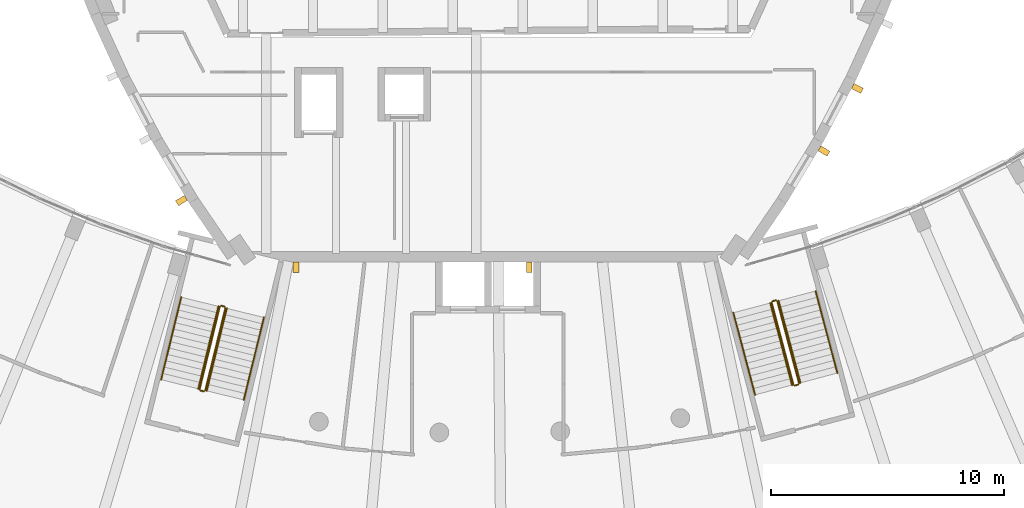
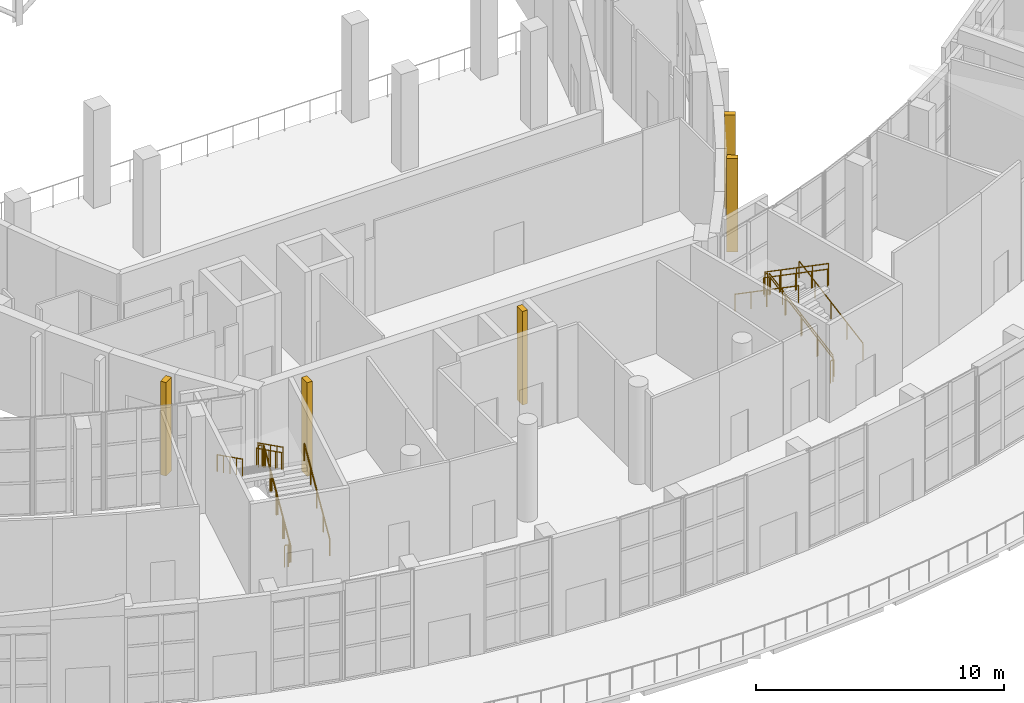
# One storey, part 85 of 93: 16 railings, 5 shading devices.
"""IFC4 building model written with IfcOpenShell, lengths in metres."""

from ifc_helpers import new_model, si_unit, direction, frame, origin, origin_2d, place, context, subcontext, project, spatial, rectangle, circle, extrude, material, layer, layer_set, type_object, element, save


model = new_model("IFC4")

# Units and contexts
model_context = context("Model", 3, precision=1e-05, world=origin(), true_north=direction((0.0, 1.0)))
body_context = subcontext(model_context, "Body", "Model", "MODEL_VIEW")
ifc_project = project(units=[si_unit("LENGTHUNIT", "METRE"), si_unit("AREAUNIT", "SQUARE_METRE"), si_unit("VOLUMEUNIT", "CUBIC_METRE"), si_unit("PLANEANGLEUNIT", "RADIAN"), si_unit("MASSUNIT", "GRAM", prefix="KILO")], contexts=[model_context])

# Site, building, storey
site_placement = place(None, origin())
site = spatial("IfcSite", under=ifc_project, at=site_placement, CompositionType="ELEMENT")
building_placement = place(site_placement, origin())
building = spatial("IfcBuilding", under=site, at=building_placement, Name="Tide Square Theatres", CompositionType="ELEMENT")
storey_placement = place(building_placement, frame((0.0, 0.0, 5.39990234375)))
storey = spatial("IfcBuildingStorey", under=building, at=storey_placement, Name="L01", CompositionType="ELEMENT", Elevation=5.39990234375)

# Shading devices
ifc_material_1 = material(Name="Concrete C40", Category="concrete")
ifc_layer = layer(ifc_material_1, 0.14990234375)
ifc_layer_set = layer_set([ifc_layer], Name="Concrete C40")
shading_device_type = type_object("IfcShadingDeviceType", Name="Concrete fin 450", PredefinedType="USERDEFINED", material=ifc_layer_set)
for number, where, z_axis, x_axis, name in (
    (1, (98.4150390625, 28.1103515625, 0.0), (0.0, 0.0, 1.0), (0.515681226646, 0.856780527606, 0.0), "Concrete fin"),
    (2, (99.8505859375, 30.796630859375, 0.0), (0.0, 0.0, 1.0), (0.466757131825, 0.884385538038, 0.0), "Concrete fin"),
    (3, (70.86328125, 25.986328125, 0.0), (0.0, 0.0, 1.0), (0.515681226646, -0.856780527606, 0.0), "Concrete fin"),
    (4, (75.77587890625, 23.132568359375, 0.0), (0.0, 0.0, 1.0), (1.0, 0.0, 0.0), "Concrete fin"),
    (5, (85.77587890625, 23.132568359375, 0.0), (0.0, 0.0, 1.0), (1.0, 0.0, 0.0), "Concrete fin"),
):
    element("IfcShadingDevice", number, at=place(storey_placement, frame(where, z_axis=z_axis, x_axis=x_axis)), inside=storey, type_object=shading_device_type, Name=name, ObjectType="BRISE-SOLEIL FIN", PredefinedType="USERDEFINED", context=body_context, shape_type="SweptSolid", body=[
        extrude(rectangle(XDim=0.25, YDim=0.449951171875, at=origin_2d()), origin(), (0.0, 0.0, 1.0), 4.60009765625),
    ])

# Railings
ifc_material_2 = material(Name="Painted steel", Category="steel")
railing_type_1 = type_object("IfcRailingType", Name="Steel guard 1100", PredefinedType="GUARDRAIL", material=ifc_material_2)
railing_1_placement = place(storey_placement, frame((71.88427734375, 17.84228515625, 0.171630859375)))
element("IfcRailing", 6, at=railing_1_placement, inside=storey, type_object=railing_type_1, Name="L01 F3 stair guard 1", PredefinedType="GUARDRAIL", context=body_context, shape_type="SweptSolid", body=[
    extrude(circle(Radius=0.02392578125, at=origin_2d()), frame((0.0, 0.0, 1.076171875), z_axis=(0.202259038705, 0.828541339265, 0.522121183625), x_axis=(-0.971472871209, 0.23715071264, 0.0)), (0.0, 0.0, 1.0), 4.268310546875),
    extrude(circle(Radius=0.02099609375, at=origin_2d()), origin(), (0.0, 0.0, 1.0), 1.052001953125),
    extrude(circle(Radius=0.02099609375, at=origin_2d()), frame((0.2158203125, 0.884033203125, 0.55712890625)), (0.0, 0.0, 1.0), 1.052001953125),
    extrude(circle(Radius=0.02099609375, at=origin_2d()), frame((0.431640625, 1.76806640625, 1.1142578125)), (0.0, 0.0, 1.0), 1.052001953125),
    extrude(circle(Radius=0.02099609375, at=origin_2d()), frame((0.6474609375, 2.65234375, 1.67138671875)), (0.0, 0.0, 1.0), 1.052001953125),
    extrude(circle(Radius=0.02099609375, at=origin_2d()), frame((0.86328125, 3.536376953125, 2.228515625)), (0.0, 0.0, 1.0), 1.052001953125),
])
railing_2_placement = place(storey_placement, frame((72.710693359375, 21.43896484375, 2.400146484375)))
element("IfcRailing", 7, at=railing_2_placement, inside=storey, type_object=railing_type_1, Name="L01 F3 stair guard 2", PredefinedType="GUARDRAIL", context=body_context, shape_type="SweptSolid", body=[
    extrude(circle(Radius=0.02392578125, at=origin_2d()), frame((0.0, 0.0, 1.076171875), z_axis=(-0.971281941422, 0.237931482295, 0.0), x_axis=(-0.237931482295, -0.971281941422, 0.0)), (0.0, 0.0, 1.0), 0.14990234375),
    extrude(circle(Radius=0.02099609375, at=origin_2d()), origin(), (0.0, 0.0, 1.0), 1.052001953125),
    extrude(circle(Radius=0.02099609375, at=origin_2d()), frame((-0.1455078125, 0.03564453125, 0.0)), (0.0, 0.0, 1.0), 1.052001953125),
])
railing_3_placement = place(storey_placement, frame((72.504638671875, 21.437744140625, 2.571533203125)))
element("IfcRailing", 8, at=railing_3_placement, inside=storey, type_object=railing_type_1, Name="L01 F3 stair guard 3", PredefinedType="GUARDRAIL", context=body_context, shape_type="SweptSolid", body=[
    extrude(circle(Radius=0.02392578125, at=origin_2d()), frame((0.0, 0.0, 1.076171875), z_axis=(-0.202268624623, -0.828523404704, 0.522145929173), x_axis=(0.971469098932, -0.237166164998, 0.0)), (0.0, 0.0, 1.0), 4.26806640625),
    extrude(circle(Radius=0.02099609375, at=origin_2d()), origin(), (0.0, 0.0, 1.0), 1.052001953125),
    extrude(circle(Radius=0.02099609375, at=origin_2d()), frame((-0.2158203125, -0.884033203125, 0.55712890625)), (0.0, 0.0, 1.0), 1.052001953125),
    extrude(circle(Radius=0.02099609375, at=origin_2d()), frame((-0.431640625, -1.76806640625, 1.1142578125)), (0.0, 0.0, 1.0), 1.052001953125),
    extrude(circle(Radius=0.02099609375, at=origin_2d()), frame((-0.6474609375, -2.652099609375, 1.67138671875)), (0.0, 0.0, 1.0), 1.052001953125),
    extrude(circle(Radius=0.02099609375, at=origin_2d()), frame((-0.86328125, -3.5361328125, 2.228515625)), (0.0, 0.0, 1.0), 1.052001953125),
])
railing_4_placement = place(storey_placement, frame((71.82373046875, 17.8056640625, 0.0)))
element("IfcRailing", 9, at=railing_4_placement, inside=storey, type_object=railing_type_1, Name="L01 F3 stair guard 4", PredefinedType="GUARDRAIL", context=body_context, shape_type="SweptSolid", body=[
    extrude(circle(Radius=0.02392578125, at=origin_2d()), frame((0.0, 0.0, 1.076171875), z_axis=(-0.971281941422, 0.237931482295, 0.0), x_axis=(-0.237931482295, -0.971281941422, 0.0)), (0.0, 0.0, 1.0), 0.14990234375),
    extrude(circle(Radius=0.02099609375, at=origin_2d()), origin(), (0.0, 0.0, 1.0), 1.052001953125),
    extrude(circle(Radius=0.02099609375, at=origin_2d()), frame((-0.1455078125, 0.03564453125, 0.0)), (0.0, 0.0, 1.0), 1.052001953125),
])
railing_5_placement = place(storey_placement, frame((97.346435546875, 18.15576171875, 0.171630859375)))
element("IfcRailing", 10, at=railing_5_placement, inside=storey, type_object=railing_type_1, Name="L01 F4 stair guard 1", PredefinedType="GUARDRAIL", context=body_context, shape_type="SweptSolid", body=[
    extrude(circle(Radius=0.02392578125, at=origin_2d()), frame((0.0, 0.0, 1.076171875), z_axis=(-0.218575886549, 0.824364590697, 0.522156684746), x_axis=(-0.96660022521, -0.256288908509, 0.0)), (0.0, 0.0, 1.0), 4.267822265625),
    extrude(circle(Radius=0.02099609375, at=origin_2d()), origin(), (0.0, 0.0, 1.0), 1.052001953125),
    extrude(circle(Radius=0.02099609375, at=origin_2d()), frame((-0.233154296875, 0.879638671875, 0.55712890625)), (0.0, 0.0, 1.0), 1.052001953125),
    extrude(circle(Radius=0.02099609375, at=origin_2d()), frame((-0.46630859375, 1.75927734375, 1.1142578125)), (0.0, 0.0, 1.0), 1.052001953125),
    extrude(circle(Radius=0.02099609375, at=origin_2d()), frame((-0.69970703125, 2.638671875, 1.67138671875)), (0.0, 0.0, 1.0), 1.052001953125),
    extrude(circle(Radius=0.02099609375, at=origin_2d()), frame((-0.932861328125, 3.518310546875, 2.228515625)), (0.0, 0.0, 1.0), 1.052001953125),
])
railing_6_placement = place(storey_placement, frame((96.352294921875, 21.709716796875, 2.400146484375)))
element("IfcRailing", 11, at=railing_6_placement, inside=storey, type_object=railing_type_1, Name="L01 F4 stair guard 2", PredefinedType="GUARDRAIL", context=body_context, shape_type="SweptSolid", body=[
    extrude(circle(Radius=0.02392578125, at=origin_2d()), frame((0.0, 0.0, 1.076171875), z_axis=(-0.966396766566, -0.257055032184, 0.0), x_axis=(0.257055032184, -0.966396766566, 0.0)), (0.0, 0.0, 1.0), 0.150146484375),
    extrude(circle(Radius=0.02099609375, at=origin_2d()), origin(), (0.0, 0.0, 1.0), 1.052001953125),
    extrude(circle(Radius=0.02099609375, at=origin_2d()), frame((-0.14501953125, -0.03857421875, 0.0)), (0.0, 0.0, 1.0), 1.052001953125),
])
railing_7_placement = place(storey_placement, frame((96.171875, 21.610107421875, 2.571533203125)))
element("IfcRailing", 12, at=railing_7_placement, inside=storey, type_object=railing_type_1, Name="L01 F4 stair guard 3", PredefinedType="GUARDRAIL", context=body_context, shape_type="SweptSolid", body=[
    extrude(circle(Radius=0.02392578125, at=origin_2d()), frame((0.0, 0.0, 1.076171875), z_axis=(0.218575886549, -0.824364590697, 0.522156684746), x_axis=(0.96660022521, 0.256288908509, 0.0)), (0.0, 0.0, 1.0), 4.267822265625),
    extrude(circle(Radius=0.02099609375, at=origin_2d()), origin(), (0.0, 0.0, 1.0), 1.052001953125),
    extrude(circle(Radius=0.02099609375, at=origin_2d()), frame((0.233154296875, -0.879638671875, 0.55712890625)), (0.0, 0.0, 1.0), 1.052001953125),
    extrude(circle(Radius=0.02099609375, at=origin_2d()), frame((0.46630859375, -1.75927734375, 1.1142578125)), (0.0, 0.0, 1.0), 1.052001953125),
    extrude(circle(Radius=0.02099609375, at=origin_2d()), frame((0.69970703125, -2.638671875, 1.67138671875)), (0.0, 0.0, 1.0), 1.052001953125),
    extrude(circle(Radius=0.02099609375, at=origin_2d()), frame((0.932861328125, -3.518310546875, 2.228515625)), (0.0, 0.0, 1.0), 1.052001953125),
])
railing_8_placement = place(storey_placement, frame((97.31103515625, 18.0947265625, 0.0)))
element("IfcRailing", 13, at=railing_8_placement, inside=storey, type_object=railing_type_1, Name="L01 F4 stair guard 4", PredefinedType="GUARDRAIL", context=body_context, shape_type="SweptSolid", body=[
    extrude(circle(Radius=0.02392578125, at=origin_2d()), frame((0.0, 0.0, 1.076171875), z_axis=(-0.966396766566, -0.257055032184, 0.0), x_axis=(0.257055032184, -0.966396766566, 0.0)), (0.0, 0.0, 1.0), 0.150146484375),
    extrude(circle(Radius=0.02099609375, at=origin_2d()), origin(), (0.0, 0.0, 1.0), 1.052001953125),
    extrude(circle(Radius=0.02099609375, at=origin_2d()), frame((-0.14501953125, -0.03857421875, 0.0)), (0.0, 0.0, 1.0), 1.052001953125),
])
ifc_material_3 = material(Name="Painted steel", Category="steel")
railing_type_2 = type_object("IfcRailingType", Name="Steel handrail 850", PredefinedType="HANDRAIL", material=ifc_material_3)
for number, where, name in (
    (14, (73.53564453125, 17.439208984375, 0.171630859375), "L01 F3 stair handrail 1"),
    (15, (71.942626953125, 17.828125, 0.171630859375), "L01 F3 stair handrail 2"),
):
    element("IfcRailing", number, at=place(storey_placement, frame(where)), inside=storey, type_object=railing_type_2, Name=name, PredefinedType="HANDRAIL", context=body_context, shape_type="SweptSolid", body=[
        extrude(circle(Radius=0.02392578125, at=origin_2d()), frame((0.0, 0.0, 0.826171875), z_axis=(0.202268624623, 0.828523404704, 0.522145929173), x_axis=(-0.971469098932, 0.237166164998, 0.0)), (0.0, 0.0, 1.0), 4.26806640625),
        extrude(circle(Radius=0.02099609375, at=origin_2d()), origin(), (0.0, 0.0, 1.0), 0.802001953125),
        extrude(circle(Radius=0.02099609375, at=origin_2d()), frame((0.2158203125, 0.884033203125, 0.55712890625)), (0.0, 0.0, 1.0), 0.802001953125),
        extrude(circle(Radius=0.02099609375, at=origin_2d()), frame((0.431640625, 1.76806640625, 1.1142578125)), (0.0, 0.0, 1.0), 0.802001953125),
        extrude(circle(Radius=0.02099609375, at=origin_2d()), frame((0.6474609375, 2.652099609375, 1.67138671875)), (0.0, 0.0, 1.0), 0.802001953125),
        extrude(circle(Radius=0.02099609375, at=origin_2d()), frame((0.86328125, 3.5361328125, 2.228515625)), (0.0, 0.0, 1.0), 0.802001953125),
    ])
railing_9_placement = place(storey_placement, frame((70.85302734375, 21.841064453125, 2.571533203125)))
element("IfcRailing", 16, at=railing_9_placement, inside=storey, type_object=railing_type_2, Name="L01 F3 stair handrail 3", PredefinedType="HANDRAIL", context=body_context, shape_type="SweptSolid", body=[
    extrude(circle(Radius=0.02392578125, at=origin_2d()), frame((0.0, 0.0, 0.826171875), z_axis=(-0.202213761315, -0.828532989783, 0.52215196981), x_axis=(0.97148455045, -0.237102864253, 0.0)), (0.0, 0.0, 1.0), 4.26806640625),
    extrude(circle(Radius=0.02099609375, at=origin_2d()), origin(), (0.0, 0.0, 1.0), 0.802001953125),
    extrude(circle(Radius=0.02099609375, at=origin_2d()), frame((-0.2158203125, -0.884033203125, 0.55712890625)), (0.0, 0.0, 1.0), 0.802001953125),
    extrude(circle(Radius=0.02099609375, at=origin_2d()), frame((-0.431640625, -1.76806640625, 1.1142578125)), (0.0, 0.0, 1.0), 0.802001953125),
    extrude(circle(Radius=0.02099609375, at=origin_2d()), frame((-0.647216796875, -2.652099609375, 1.67138671875)), (0.0, 0.0, 1.0), 0.802001953125),
    extrude(circle(Radius=0.02099609375, at=origin_2d()), frame((-0.863037109375, -3.5361328125, 2.228515625)), (0.0, 0.0, 1.0), 0.802001953125),
])
railing_10_placement = place(storey_placement, frame((72.4462890625, 21.4521484375, 2.571533203125)))
element("IfcRailing", 17, at=railing_10_placement, inside=storey, type_object=railing_type_2, Name="L01 F3 stair handrail 4", PredefinedType="HANDRAIL", context=body_context, shape_type="SweptSolid", body=[
    extrude(circle(Radius=0.02392578125, at=origin_2d()), frame((0.0, 0.0, 0.826171875), z_axis=(-0.202268624623, -0.828523404704, 0.522145929173), x_axis=(0.971469098932, -0.237166164998, 0.0)), (0.0, 0.0, 1.0), 4.26806640625),
    extrude(circle(Radius=0.02099609375, at=origin_2d()), origin(), (0.0, 0.0, 1.0), 0.802001953125),
    extrude(circle(Radius=0.02099609375, at=origin_2d()), frame((-0.2158203125, -0.884033203125, 0.55712890625)), (0.0, 0.0, 1.0), 0.802001953125),
    extrude(circle(Radius=0.02099609375, at=origin_2d()), frame((-0.431640625, -1.76806640625, 1.1142578125)), (0.0, 0.0, 1.0), 0.802001953125),
    extrude(circle(Radius=0.02099609375, at=origin_2d()), frame((-0.6474609375, -2.652099609375, 1.67138671875)), (0.0, 0.0, 1.0), 0.802001953125),
    extrude(circle(Radius=0.02099609375, at=origin_2d()), frame((-0.86328125, -3.5361328125, 2.228515625)), (0.0, 0.0, 1.0), 0.802001953125),
])
for number, where, name in (
    (18, (98.98974609375, 18.591552734375, 0.171630859375), "L01 F4 stair handrail 1"),
    (19, (97.404541015625, 18.171142578125, 0.171630859375), "L01 F4 stair handrail 2"),
):
    element("IfcRailing", number, at=place(storey_placement, frame(where)), inside=storey, type_object=railing_type_2, Name=name, PredefinedType="HANDRAIL", context=body_context, shape_type="SweptSolid", body=[
        extrude(circle(Radius=0.02392578125, at=origin_2d()), frame((0.0, 0.0, 0.826171875), z_axis=(-0.218630356433, 0.824354282197, 0.522150155291), x_axis=(-0.966583607349, -0.256351574997, 0.0)), (0.0, 0.0, 1.0), 4.26806640625),
        extrude(circle(Radius=0.02099609375, at=origin_2d()), origin(), (0.0, 0.0, 1.0), 0.802001953125),
        extrude(circle(Radius=0.02099609375, at=origin_2d()), frame((-0.2333984375, 0.879638671875, 0.55712890625)), (0.0, 0.0, 1.0), 0.802001953125),
        extrude(circle(Radius=0.02099609375, at=origin_2d()), frame((-0.466552734375, 1.75927734375, 1.1142578125)), (0.0, 0.0, 1.0), 0.802001953125),
        extrude(circle(Radius=0.02099609375, at=origin_2d()), frame((-0.69970703125, 2.638671875, 1.67138671875)), (0.0, 0.0, 1.0), 0.802001953125),
        extrude(circle(Radius=0.02099609375, at=origin_2d()), frame((-0.93310546875, 3.518310546875, 2.228515625)), (0.0, 0.0, 1.0), 0.802001953125),
    ])
for number, where, name in (
    (20, (94.528564453125, 21.17431640625, 2.571533203125), "L01 F4 stair handrail 3"),
    (21, (96.11376953125, 21.5947265625, 2.571533203125), "L01 F4 stair handrail 4"),
):
    element("IfcRailing", number, at=place(storey_placement, frame(where)), inside=storey, type_object=railing_type_2, Name=name, PredefinedType="HANDRAIL", context=body_context, shape_type="SweptSolid", body=[
        extrude(circle(Radius=0.02392578125, at=origin_2d()), frame((0.0, 0.0, 0.826171875), z_axis=(0.218630356433, -0.824354282197, 0.522150155291), x_axis=(0.966583607349, 0.256351574997, 0.0)), (0.0, 0.0, 1.0), 4.26806640625),
        extrude(circle(Radius=0.02099609375, at=origin_2d()), origin(), (0.0, 0.0, 1.0), 0.802001953125),
        extrude(circle(Radius=0.02099609375, at=origin_2d()), frame((0.2333984375, -0.879638671875, 0.55712890625)), (0.0, 0.0, 1.0), 0.802001953125),
        extrude(circle(Radius=0.02099609375, at=origin_2d()), frame((0.466552734375, -1.75927734375, 1.1142578125)), (0.0, 0.0, 1.0), 0.802001953125),
        extrude(circle(Radius=0.02099609375, at=origin_2d()), frame((0.69970703125, -2.638671875, 1.67138671875)), (0.0, 0.0, 1.0), 0.802001953125),
        extrude(circle(Radius=0.02099609375, at=origin_2d()), frame((0.93310546875, -3.518310546875, 2.228515625)), (0.0, 0.0, 1.0), 0.802001953125),
    ])

save(model, "model.ifc")
